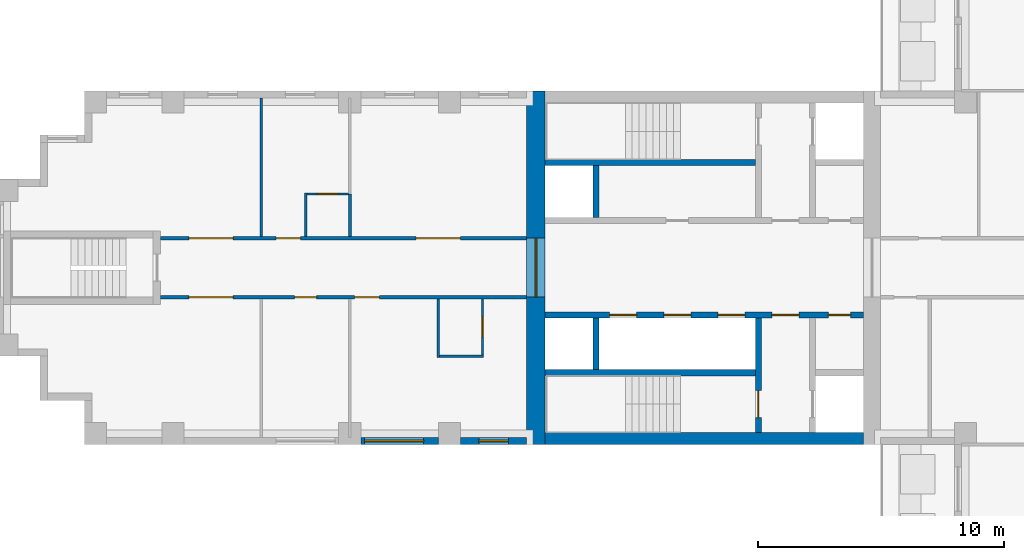
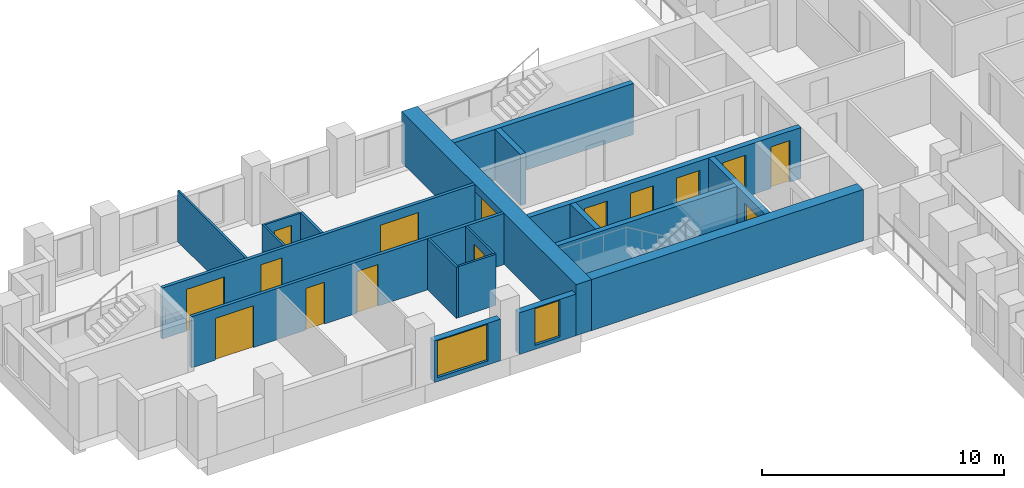
# One storey, part 6 of 14: 19 walls, 15 doors, 2 windows, 17 openings.
"""IFC4 building model written with IfcOpenShell, lengths in metres."""

from ifc_helpers import new_model, si_unit, direction, frame, frame_2d, origin, place, context, subcontext, project, spatial, rectangle, extrude, material, layer, layer_set, type_object, element, fill, save


model = new_model("IFC4")

# Units and contexts
model_context = context("Model", 3, precision=1e-05, world=origin(), true_north=direction((0.0, 1.0)))
body_context = subcontext(model_context, "Body", "Model", "MODEL_VIEW")
ifc_project = project(units=[si_unit("LENGTHUNIT", "METRE"), si_unit("AREAUNIT", "SQUARE_METRE"), si_unit("VOLUMEUNIT", "CUBIC_METRE"), si_unit("PLANEANGLEUNIT", "RADIAN"), si_unit("MASSUNIT", "GRAM", prefix="KILO")], contexts=[model_context])

# Site, building, storey
site_placement = place(None, origin())
site = spatial("IfcSite", under=ifc_project, at=site_placement, CompositionType="ELEMENT")
building_placement = place(site_placement, origin())
building = spatial("IfcBuilding", under=site, at=building_placement, Name="Fustian Cross Tower", CompositionType="ELEMENT")
storey_placement = place(building_placement, frame((0.0, 0.0, 99.89990234375)))
storey = spatial("IfcBuildingStorey", under=building, at=storey_placement, Name="L31", CompositionType="ELEMENT", Elevation=99.89990234375)

# Wall, openings, doors
ifc_material_1 = material(Name="Plasterboard on steel stud", Category="steel")
ifc_layer_1 = layer(ifc_material_1, 0.14990234375)
ifc_layer_set_1 = layer_set([ifc_layer_1], Name="Plasterboard on steel stud")
wall_type_1 = type_object("IfcWallType", Name="COMPARTMENT WALL 150 EI 60", PredefinedType="PARTITIONING", material=ifc_layer_set_1)
wall_1_placement = place(storey_placement, frame((-36.5, -1.199951171875, 0.0), z_axis=(0.0, 0.0, 1.0), x_axis=(1.0, 0.0, 0.0)))
wall_1 = element("IfcWall", 1, at=wall_1_placement, inside=storey, type_object=wall_type_1, Name="Partition 1", PredefinedType="PARTITIONING", context=body_context, shape_type="SweptSolid", body=[
    extrude(rectangle(XDim=14.89990234375, YDim=0.14990234375, at=frame_2d((7.449951171875, 0.0))), origin(), (0.0, 0.0, 1.0), 2.5751953125),
])
opening_1_placement = place(wall_1_placement, frame((7.89990234375, 0.0, 0.0)))
opening_1 = element("IfcOpeningElement", 2, at=opening_1_placement, cuts=wall_1, Name="Opening D14028", PredefinedType="OPENING", context=body_context, shape_type="SweptSolid", body=[
    extrude(rectangle(XDim=1.0, YDim=2.10009765625, at=frame_2d((0.5, 1.050048828125))), frame((0.0, 0.0849609375, 0.0), z_axis=(0.0, -1.0, 0.0), x_axis=(1.0, 0.0, 0.0)), (0.0, 0.0, 1.0), 0.169921875),
])
opening_2_placement = place(wall_1_placement, frame((5.449951171875, 0.0, 0.0)))
opening_2 = element("IfcOpeningElement", 3, at=opening_2_placement, cuts=wall_1, Name="Opening D14029", PredefinedType="OPENING", context=body_context, shape_type="SweptSolid", body=[
    extrude(rectangle(XDim=0.89990234375, YDim=2.10009765625, at=frame_2d((0.449951171875, 1.050048828125))), frame((0.0, 0.0849609375, 0.0), z_axis=(0.0, -1.0, 0.0), x_axis=(1.0, 0.0, 0.0)), (0.0, 0.0, 1.0), 0.169921875),
])
opening_3_placement = place(wall_1_placement, frame((1.14990234375, 0.0, 0.0)))
opening_3 = element("IfcOpeningElement", 4, at=opening_3_placement, cuts=wall_1, Name="Opening D14030", PredefinedType="OPENING", context=body_context, shape_type="SweptSolid", body=[
    extrude(rectangle(XDim=1.800048828125, YDim=2.10009765625, at=frame_2d((0.89990234375, 1.050048828125))), frame((0.0, 0.0849609375, 0.0), z_axis=(0.0, -1.0, 0.0), x_axis=(1.0, 0.0, 0.0)), (0.0, 0.0, 1.0), 0.169921875),
])
ifc_material_2 = material(Name="Timber fire door set", Category="wood")
door_type_1 = type_object("IfcDoorType", Name="FIRE DOUBLE DOOR 1800 FD30S", OperationType="DOUBLE_DOOR_DOUBLE_SWING", PredefinedType="DOOR", material=ifc_material_2)
door_1_placement = place(opening_3_placement, origin())
door_1 = element("IfcDoor", 5, at=door_1_placement, inside=storey, type_object=door_type_1, Name="Door D14030", OperationType="DOUBLE_DOOR_DOUBLE_SWING", OverallHeight=2.10009765625, OverallWidth=1.800048828125, PredefinedType="DOOR", context=body_context, shape_type="SweptSolid", body=[
    extrude(rectangle(XDim=1.800048828125, YDim=2.10009765625, at=frame_2d((0.89990234375, 1.050048828125))), frame((0.0, 0.02490234375, 0.0), z_axis=(0.0, -1.0, 0.0), x_axis=(1.0, 0.0, 0.0)), (0.0, 0.0, 1.0), 0.050048828125),
])
fill(opening_3, door_1)
ifc_material_3 = material(Name="Timber fire door set", Category="wood")
door_type_2 = type_object("IfcDoorType", Name="FIRE SWING DOOR 1000 FD30S", OperationType="SINGLE_SWING_LEFT", PredefinedType="DOOR", material=ifc_material_3)
door_2_placement = place(opening_1_placement, frame((1.0, 0.0, 0.0), z_axis=(0.0, 0.0, 1.0), x_axis=(-1.0, 0.0, 0.0)))
door_2 = element("IfcDoor", 6, at=door_2_placement, inside=storey, type_object=door_type_2, Name="Door D14028", OperationType="SINGLE_SWING_RIGHT", OverallHeight=2.10009765625, OverallWidth=1.0, PredefinedType="DOOR", context=body_context, shape_type="SweptSolid", body=[
    extrude(rectangle(XDim=1.0, YDim=2.10009765625, at=frame_2d((0.5, 1.050048828125))), frame((0.0, 0.02490234375, 0.0), z_axis=(0.0, -1.0, 0.0), x_axis=(1.0, 0.0, 0.0)), (0.0, 0.0, 1.0), 0.050048828125),
])
fill(opening_1, door_2)
ifc_material_4 = material(Name="Timber fire door set", Category="wood")
door_type_3 = type_object("IfcDoorType", Name="FIRE SWING DOOR 900 FD30S", OperationType="SINGLE_SWING_LEFT", PredefinedType="DOOR", material=ifc_material_4)
door_3_placement = place(opening_2_placement, frame((0.89990234375, 0.0, 0.0), z_axis=(0.0, 0.0, 1.0), x_axis=(-1.0, 0.0, 0.0)))
door_3 = element("IfcDoor", 7, at=door_3_placement, inside=storey, type_object=door_type_3, Name="Door D14029", OperationType="SINGLE_SWING_RIGHT", OverallHeight=2.10009765625, OverallWidth=0.89990234375, PredefinedType="DOOR", context=body_context, shape_type="SweptSolid", body=[
    extrude(rectangle(XDim=0.89990234375, YDim=2.10009765625, at=frame_2d((0.449951171875, 1.050048828125))), frame((0.0, 0.02490234375, 0.0), z_axis=(0.0, -1.0, 0.0), x_axis=(1.0, 0.0, 0.0)), (0.0, 0.0, 1.0), 0.050048828125),
])
fill(opening_2, door_3)

wall_2_placement = place(storey_placement, frame((-36.5, 1.199951171875, 0.0), z_axis=(0.0, 0.0, 1.0), x_axis=(1.0, 0.0, 0.0)))
wall_2 = element("IfcWall", 8, at=wall_2_placement, inside=storey, type_object=wall_type_1, Name="Partition 2", PredefinedType="PARTITIONING", context=body_context, shape_type="SweptSolid", body=[
    extrude(rectangle(XDim=14.89990234375, YDim=0.14990234375, at=frame_2d((7.449951171875, 0.0))), origin(), (0.0, 0.0, 1.0), 2.5751953125),
])
opening_4_placement = place(wall_2_placement, frame((10.39990234375, 0.0, 0.0)))
opening_4 = element("IfcOpeningElement", 9, at=opening_4_placement, cuts=wall_2, Name="Opening D14031", PredefinedType="OPENING", context=body_context, shape_type="SweptSolid", body=[
    extrude(rectangle(XDim=1.800048828125, YDim=2.10009765625, at=frame_2d((0.89990234375, 1.050048828125))), frame((0.0, 0.0849609375, 0.0), z_axis=(0.0, -1.0, 0.0), x_axis=(1.0, 0.0, 0.0)), (0.0, 0.0, 1.0), 0.169921875),
])
opening_5_placement = place(wall_2_placement, frame((4.699951171875, 0.0, 0.0)))
opening_5 = element("IfcOpeningElement", 10, at=opening_5_placement, cuts=wall_2, Name="Opening D14033", PredefinedType="OPENING", context=body_context, shape_type="SweptSolid", body=[
    extrude(rectangle(XDim=1.0, YDim=2.10009765625, at=frame_2d((0.5, 1.050048828125))), frame((0.0, 0.0849609375, 0.0), z_axis=(0.0, -1.0, 0.0), x_axis=(1.0, 0.0, 0.0)), (0.0, 0.0, 1.0), 0.169921875),
])
opening_6_placement = place(wall_2_placement, frame((1.14990234375, 0.0, 0.0)))
opening_6 = element("IfcOpeningElement", 11, at=opening_6_placement, cuts=wall_2, Name="Opening D14034", PredefinedType="OPENING", context=body_context, shape_type="SweptSolid", body=[
    extrude(rectangle(XDim=1.800048828125, YDim=2.10009765625, at=frame_2d((0.89990234375, 1.050048828125))), frame((0.0, 0.0849609375, 0.0), z_axis=(0.0, -1.0, 0.0), x_axis=(1.0, 0.0, 0.0)), (0.0, 0.0, 1.0), 0.169921875),
])
door_4_placement = place(opening_4_placement, frame((1.800048828125, 0.0, 0.0), z_axis=(0.0, 0.0, 1.0), x_axis=(-1.0, 0.0, 0.0)))
door_4 = element("IfcDoor", 12, at=door_4_placement, inside=storey, type_object=door_type_1, Name="Door D14031", OperationType="DOUBLE_DOOR_DOUBLE_SWING", OverallHeight=2.10009765625, OverallWidth=1.800048828125, PredefinedType="DOOR", context=body_context, shape_type="SweptSolid", body=[
    extrude(rectangle(XDim=1.800048828125, YDim=2.10009765625, at=frame_2d((0.89990234375, 1.050048828125))), frame((0.0, 0.02490234375, 0.0), z_axis=(0.0, -1.0, 0.0), x_axis=(1.0, 0.0, 0.0)), (0.0, 0.0, 1.0), 0.050048828125),
])
fill(opening_4, door_4)
door_5_placement = place(opening_6_placement, frame((1.800048828125, 0.0, 0.0), z_axis=(0.0, 0.0, 1.0), x_axis=(-1.0, 0.0, 0.0)))
door_5 = element("IfcDoor", 13, at=door_5_placement, inside=storey, type_object=door_type_1, Name="Door D14034", OperationType="DOUBLE_DOOR_DOUBLE_SWING", OverallHeight=2.10009765625, OverallWidth=1.800048828125, PredefinedType="DOOR", context=body_context, shape_type="SweptSolid", body=[
    extrude(rectangle(XDim=1.800048828125, YDim=2.10009765625, at=frame_2d((0.89990234375, 1.050048828125))), frame((0.0, 0.02490234375, 0.0), z_axis=(0.0, -1.0, 0.0), x_axis=(1.0, 0.0, 0.0)), (0.0, 0.0, 1.0), 0.050048828125),
])
fill(opening_6, door_5)
door_6_placement = place(opening_5_placement, origin())
door_6 = element("IfcDoor", 14, at=door_6_placement, inside=storey, type_object=door_type_2, Name="Door D14033", OperationType="SINGLE_SWING_RIGHT", OverallHeight=2.10009765625, OverallWidth=1.0, PredefinedType="DOOR", context=body_context, shape_type="SweptSolid", body=[
    extrude(rectangle(XDim=1.0, YDim=2.10009765625, at=frame_2d((0.5, 1.050048828125))), frame((0.0, 0.02490234375, 0.0), z_axis=(0.0, -1.0, 0.0), x_axis=(1.0, 0.0, 0.0)), (0.0, 0.0, 1.0), 0.050048828125),
])
fill(opening_5, door_6)

# Wall, opening, door
ifc_material_5 = material(Name="Concrete C70/85", Category="concrete")
ifc_layer_2 = layer(ifc_material_5, 0.75)
ifc_layer_set_2 = layer_set([ifc_layer_2], Name="Concrete C70/85")
wall_type_2 = type_object("IfcWallType", Name="CORE END WALL 750 C70/85", PredefinedType="SHEAR", material=ifc_layer_set_2)
wall_3_placement = place(storey_placement, frame((-21.22509765625, -7.199951171875, 0.0), z_axis=(0.0, 0.0, 1.0), x_axis=(0.0, 1.0, 0.0)))
wall_3 = element("IfcWall", 15, at=wall_3_placement, inside=storey, type_object=wall_type_2, Name="Core end wall", PredefinedType="SHEAR", context=body_context, shape_type="SweptSolid", body=[
    extrude(rectangle(XDim=14.39990234375, YDim=0.75, at=frame_2d((7.199951171875, 0.0))), origin(), (0.0, 0.0, 1.0), 2.5751953125),
])
opening_7_placement = place(wall_3_placement, frame((6.0, 0.0, 0.0)))
opening_7 = element("IfcOpeningElement", 16, at=opening_7_placement, cuts=wall_3, Name="Opening CD-09-27", PredefinedType="OPENING", context=body_context, shape_type="SweptSolid", body=[
    extrude(rectangle(XDim=2.39990234375, YDim=2.199951171875, at=frame_2d((1.199951171875, 1.10009765625))), frame((0.0, 0.385009765625, 0.0), z_axis=(0.0, -1.0, 0.0), x_axis=(1.0, 0.0, 0.0)), (0.0, 0.0, 1.0), 0.77001953125),
])
ifc_material_6 = material(Name="Steel", Category="steel")
door_type_4 = type_object("IfcDoorType", Name="FIRE DOOR FD30S DOUBLE 2400X2200", OperationType="DOUBLE_DOOR_DOUBLE_SWING", PredefinedType="DOOR", material=ifc_material_6)
door_7_placement = place(opening_7_placement, frame((2.39990234375, 0.0, 0.0), z_axis=(0.0, 0.0, 1.0), x_axis=(-1.0, 0.0, 0.0)))
door_7 = element("IfcDoor", 17, at=door_7_placement, inside=storey, type_object=door_type_4, Name="Core door CD-09-27", OperationType="DOUBLE_DOOR_DOUBLE_SWING", OverallHeight=2.199951171875, OverallWidth=2.39990234375, PredefinedType="DOOR", context=body_context, shape_type="SweptSolid", body=[
    extrude(rectangle(XDim=2.39990234375, YDim=2.199951171875, at=frame_2d((1.199951171875, 1.10009765625))), frame((0.0, 0.02490234375, 0.0), z_axis=(0.0, -1.0, 0.0), x_axis=(1.0, 0.0, 0.0)), (0.0, 0.0, 1.0), 0.050048828125),
])
fill(opening_7, door_7)

# Wall
ifc_material_7 = material(Name="Concrete C70/85", Category="concrete")
ifc_layer_3 = layer(ifc_material_7, 0.5)
ifc_layer_set_3 = layer_set([ifc_layer_3], Name="Concrete C70/85")
wall_type_3 = type_object("IfcWallType", Name="CORE FACADE WALL 500 C70/85", PredefinedType="SHEAR", material=ifc_layer_set_3)
wall_4_placement = place(storey_placement, frame((-7.89990234375, -6.949951171875, 0.0), z_axis=(0.0, 0.0, 1.0), x_axis=(-1.0, 0.0, 0.0)))
element("IfcWall", 18, at=wall_4_placement, inside=storey, type_object=wall_type_3, Name="Core facade wall", PredefinedType="SHEAR", context=body_context, shape_type="SweptSolid", body=[
    extrude(rectangle(XDim=12.9501953125, YDim=0.5, at=frame_2d((6.47509765625, 0.0))), origin(), (0.0, 0.0, 1.0), 2.5751953125),
])

# Wall, openings, doors
ifc_material_8 = material(Name="Concrete C50/60", Category="concrete")
ifc_layer_4 = layer(ifc_material_8, 0.25)
ifc_layer_set_4 = layer_set([ifc_layer_4], Name="Concrete C50/60")
wall_type_4 = type_object("IfcWallType", Name="CORE LOBBY WALL 250 C50/60", PredefinedType="SHEAR", material=ifc_layer_set_4)
wall_5_placement = place(storey_placement, frame((-7.89990234375, -1.925048828125, 0.0), z_axis=(0.0, 0.0, 1.0), x_axis=(-1.0, 0.0, 0.0)))
wall_5 = element("IfcWall", 19, at=wall_5_placement, inside=storey, type_object=wall_type_4, Name="Core lobby wall", PredefinedType="SHEAR", context=body_context, shape_type="SweptSolid", body=[
    extrude(rectangle(XDim=12.9501953125, YDim=0.25, at=frame_2d((6.47509765625, 0.0))), origin(), (0.0, 0.0, 1.0), 2.5751953125),
])
opening_8_placement = place(wall_5_placement, frame((4.824951171875, 0.0, 0.0)))
opening_8 = element("IfcOpeningElement", 20, at=opening_8_placement, cuts=wall_5, Name="Opening LD", PredefinedType="OPENING", context=body_context, shape_type="SweptSolid", body=[
    extrude(rectangle(XDim=1.10009765625, YDim=2.10009765625, at=frame_2d((0.550048828125, 1.050048828125))), frame((0.0, 0.135009765625, 0.0), z_axis=(0.0, -1.0, 0.0), x_axis=(1.0, 0.0, 0.0)), (0.0, 0.0, 1.0), 0.27001953125),
])
opening_9_placement = place(wall_5_placement, frame((7.02490234375, 0.0, 0.0)))
opening_9 = element("IfcOpeningElement", 21, at=opening_9_placement, cuts=wall_5, Name="Opening LD", PredefinedType="OPENING", context=body_context, shape_type="SweptSolid", body=[
    extrude(rectangle(XDim=1.10009765625, YDim=2.10009765625, at=frame_2d((0.550048828125, 1.050048828125))), frame((0.0, 0.135009765625, 0.0), z_axis=(0.0, -1.0, 0.0), x_axis=(1.0, 0.0, 0.0)), (0.0, 0.0, 1.0), 0.27001953125),
])
opening_10_placement = place(wall_5_placement, frame((9.22509765625, 0.0, 0.0)))
opening_10 = element("IfcOpeningElement", 22, at=opening_10_placement, cuts=wall_5, Name="Opening LD", PredefinedType="OPENING", context=body_context, shape_type="SweptSolid", body=[
    extrude(rectangle(XDim=1.10009765625, YDim=2.10009765625, at=frame_2d((0.550048828125, 1.050048828125))), frame((0.0, 0.135009765625, 0.0), z_axis=(0.0, -1.0, 0.0), x_axis=(1.0, 0.0, 0.0)), (0.0, 0.0, 1.0), 0.27001953125),
])
opening_11_placement = place(wall_5_placement, frame((0.52490234375, 0.0, 0.0)))
opening_11 = element("IfcOpeningElement", 23, at=opening_11_placement, cuts=wall_5, Name="Opening CD-09-23", PredefinedType="OPENING", context=body_context, shape_type="SweptSolid", body=[
    extrude(rectangle(XDim=0.89990234375, YDim=2.10009765625, at=frame_2d((0.449951171875, 1.050048828125))), frame((0.0, 0.135009765625, 0.0), z_axis=(0.0, -1.0, 0.0), x_axis=(1.0, 0.0, 0.0)), (0.0, 0.0, 1.0), 0.27001953125),
])
opening_12_placement = place(wall_5_placement, frame((2.625, 0.0, 0.0)))
opening_12 = element("IfcOpeningElement", 24, at=opening_12_placement, cuts=wall_5, Name="Opening CD-09-25", PredefinedType="OPENING", context=body_context, shape_type="SweptSolid", body=[
    extrude(rectangle(XDim=1.10009765625, YDim=2.10009765625, at=frame_2d((0.550048828125, 1.050048828125))), frame((0.0, 0.135009765625, 0.0), z_axis=(0.0, -1.0, 0.0), x_axis=(1.0, 0.0, 0.0)), (0.0, 0.0, 1.0), 0.27001953125),
])
ifc_material_9 = material(Name="Steel", Category="steel")
door_type_5 = type_object("IfcDoorType", Name="FIRE DOOR FD30S 1100X2100", OperationType="SINGLE_SWING_LEFT", PredefinedType="DOOR", material=ifc_material_9)
door_8_placement = place(opening_12_placement, frame((1.10009765625, 0.0, 0.0), z_axis=(0.0, 0.0, 1.0), x_axis=(-1.0, 0.0, 0.0)))
door_8 = element("IfcDoor", 25, at=door_8_placement, inside=storey, type_object=door_type_5, Name="Core door CD-09-25", OperationType="SINGLE_SWING_RIGHT", OverallHeight=2.10009765625, OverallWidth=1.10009765625, PredefinedType="DOOR", context=body_context, shape_type="SweptSolid", body=[
    extrude(rectangle(XDim=1.10009765625, YDim=2.10009765625, at=frame_2d((0.550048828125, 1.050048828125))), frame((0.0, 0.02490234375, 0.0), z_axis=(0.0, -1.0, 0.0), x_axis=(1.0, 0.0, 0.0)), (0.0, 0.0, 1.0), 0.050048828125),
])
fill(opening_12, door_8)
ifc_material_10 = material(Name="Steel", Category="steel")
door_type_6 = type_object("IfcDoorType", Name="FIRE DOOR FD30S 900X2100", OperationType="SINGLE_SWING_LEFT", PredefinedType="DOOR", material=ifc_material_10)
door_9_placement = place(opening_11_placement, origin())
door_9 = element("IfcDoor", 26, at=door_9_placement, inside=storey, type_object=door_type_6, Name="Core door CD-09-23", OperationType="SINGLE_SWING_LEFT", OverallHeight=2.10009765625, OverallWidth=0.89990234375, PredefinedType="DOOR", context=body_context, shape_type="SweptSolid", body=[
    extrude(rectangle(XDim=0.89990234375, YDim=2.10009765625, at=frame_2d((0.449951171875, 1.050048828125))), frame((0.0, 0.02490234375, 0.0), z_axis=(0.0, -1.0, 0.0), x_axis=(1.0, 0.0, 0.0)), (0.0, 0.0, 1.0), 0.050048828125),
])
fill(opening_11, door_9)
ifc_material_11 = material(Name="Stainless steel", Category="steel")
door_type_7 = type_object("IfcDoorType", Name="LIFT LANDING DOOR 1100X2100", OperationType="SLIDING_TO_LEFT", PredefinedType="DOOR", material=ifc_material_11)
door_10_placement = place(opening_8_placement, origin())
door_10 = element("IfcDoor", 27, at=door_10_placement, inside=storey, type_object=door_type_7, Name="Landing door LR1W", OperationType="SLIDING_TO_LEFT", OverallHeight=2.10009765625, OverallWidth=1.10009765625, PredefinedType="DOOR", context=body_context, shape_type="SweptSolid", body=[
    extrude(rectangle(XDim=1.10009765625, YDim=2.10009765625, at=frame_2d((0.550048828125, 1.050048828125))), frame((0.0, 0.02490234375, 0.0), z_axis=(0.0, -1.0, 0.0), x_axis=(1.0, 0.0, 0.0)), (0.0, 0.0, 1.0), 0.050048828125),
])
fill(opening_8, door_10)
door_11_placement = place(opening_9_placement, origin())
door_11 = element("IfcDoor", 28, at=door_11_placement, inside=storey, type_object=door_type_7, Name="Landing door LR2W", OperationType="SLIDING_TO_LEFT", OverallHeight=2.10009765625, OverallWidth=1.10009765625, PredefinedType="DOOR", context=body_context, shape_type="SweptSolid", body=[
    extrude(rectangle(XDim=1.10009765625, YDim=2.10009765625, at=frame_2d((0.550048828125, 1.050048828125))), frame((0.0, 0.02490234375, 0.0), z_axis=(0.0, -1.0, 0.0), x_axis=(1.0, 0.0, 0.0)), (0.0, 0.0, 1.0), 0.050048828125),
])
fill(opening_9, door_11)
door_12_placement = place(opening_10_placement, origin())
door_12 = element("IfcDoor", 29, at=door_12_placement, inside=storey, type_object=door_type_7, Name="Landing door LR3W", OperationType="SLIDING_TO_LEFT", OverallHeight=2.10009765625, OverallWidth=1.10009765625, PredefinedType="DOOR", context=body_context, shape_type="SweptSolid", body=[
    extrude(rectangle(XDim=1.10009765625, YDim=2.10009765625, at=frame_2d((0.550048828125, 1.050048828125))), frame((0.0, 0.02490234375, 0.0), z_axis=(0.0, -1.0, 0.0), x_axis=(1.0, 0.0, 0.0)), (0.0, 0.0, 1.0), 0.050048828125),
])
fill(opening_10, door_12)

# Walls
ifc_material_12 = material(Name="Concrete C50/60", Category="concrete")
ifc_layer_5 = layer(ifc_material_12, 0.25)
ifc_layer_set_5 = layer_set([ifc_layer_5], Name="Concrete C50/60")
wall_type_5 = type_object("IfcWallType", Name="CORE SHAFT WALL 250 C50/60", PredefinedType="SHEAR", material=ifc_layer_set_5)
for number, where, z_axis, x_axis, name in (
    (30, (-12.300048828125, 4.27490234375, 0.0), (0.0, 0.0, 1.0), (-1.0, 0.0, 0.0), "Core shaft wall"),
    (31, (-12.300048828125, -4.27490234375, 0.0), (0.0, 0.0, 1.0), (-1.0, 0.0, 0.0), "Core shaft wall"),
):
    element("IfcWall", number, at=place(storey_placement, frame(where, z_axis=z_axis, x_axis=x_axis)), inside=storey, type_object=wall_type_5, Name=name, PredefinedType="SHEAR", context=body_context, shape_type="SweptSolid", body=[
        extrude(rectangle(XDim=8.550048828125, YDim=0.25, at=frame_2d((4.27490234375, 0.0))), origin(), (0.0, 0.0, 1.0), 2.5751953125),
    ])

# Wall, opening, door
wall_6_placement = place(storey_placement, frame((-12.175048828125, -2.050048828125, 0.0), z_axis=(0.0, 0.0, 1.0), x_axis=(0.0, -1.0, 0.0)))
wall_6 = element("IfcWall", 32, at=wall_6_placement, inside=storey, type_object=wall_type_5, Name="Core shaft wall", PredefinedType="SHEAR", context=body_context, shape_type="SweptSolid", body=[
    extrude(rectangle(XDim=4.64990234375, YDim=0.25, at=frame_2d((2.324951171875, 0.0))), origin(), (0.0, 0.0, 1.0), 2.5751953125),
])
opening_13_placement = place(wall_6_placement, frame((2.949951171875, 0.0, 0.0)))
opening_13 = element("IfcOpeningElement", 33, at=opening_13_placement, cuts=wall_6, Name="Opening CD-09-21", PredefinedType="OPENING", context=body_context, shape_type="SweptSolid", body=[
    extrude(rectangle(XDim=1.10009765625, YDim=2.10009765625, at=frame_2d((0.550048828125, 1.050048828125))), frame((0.0, 0.135009765625, 0.0), z_axis=(0.0, -1.0, 0.0), x_axis=(1.0, 0.0, 0.0)), (0.0, 0.0, 1.0), 0.27001953125),
])
ifc_material_13 = material(Name="Steel", Category="steel")
door_type_8 = type_object("IfcDoorType", Name="FIRE DOOR FD60S 1100X2100", OperationType="SINGLE_SWING_LEFT", PredefinedType="DOOR", material=ifc_material_13)
door_13_placement = place(opening_13_placement, frame((1.10009765625, 0.0, 0.0), z_axis=(0.0, 0.0, 1.0), x_axis=(-1.0, 0.0, 0.0)))
door_13 = element("IfcDoor", 34, at=door_13_placement, inside=storey, type_object=door_type_8, Name="Core door CD-09-21", OperationType="SINGLE_SWING_RIGHT", OverallHeight=2.10009765625, OverallWidth=1.10009765625, PredefinedType="DOOR", context=body_context, shape_type="SweptSolid", body=[
    extrude(rectangle(XDim=1.10009765625, YDim=2.10009765625, at=frame_2d((0.550048828125, 1.050048828125))), frame((0.0, 0.02490234375, 0.0), z_axis=(0.0, -1.0, 0.0), x_axis=(1.0, 0.0, 0.0)), (0.0, 0.0, 1.0), 0.050048828125),
])
fill(opening_13, door_13)

# Walls
ifc_material_14 = material(Name="Plasterboard on steel stud", Category="steel")
ifc_layer_6 = layer(ifc_material_14, 0.10009765625)
ifc_layer_set_6 = layer_set([ifc_layer_6], Name="Plasterboard on steel stud")
wall_type_6 = type_object("IfcWallType", Name="PARTITION 100 STUD", PredefinedType="PARTITIONING", material=ifc_layer_set_6)
wall_7_placement = place(storey_placement, frame((-32.39990234375, 1.27490234375, 0.0), z_axis=(0.0, 0.0, 1.0), x_axis=(0.0, 1.0, 0.0)))
element("IfcWall", 35, at=wall_7_placement, inside=storey, type_object=wall_type_6, Name="Partition 4", PredefinedType="PARTITIONING", context=body_context, shape_type="SweptSolid", body=[
    extrude(rectangle(XDim=5.625, YDim=0.10009765625, at=frame_2d((2.8125, 0.0))), origin(), (0.0, 0.0, 1.0), 2.5751953125),
])
wall_8_placement = place(storey_placement, frame((-30.60009765625, 1.27490234375, 0.0), z_axis=(0.0, 0.0, 1.0), x_axis=(0.0, 1.0, 0.0)))
element("IfcWall", 36, at=wall_8_placement, inside=storey, type_object=wall_type_6, Name="Partition 5", PredefinedType="PARTITIONING", context=body_context, shape_type="SweptSolid", body=[
    extrude(rectangle(XDim=1.775146484375, YDim=0.10009765625, at=frame_2d((0.8876953125, 0.0))), origin(), (0.0, 0.0, 1.0), 2.5751953125),
])

# Wall, opening, door
wall_9_placement = place(storey_placement, frame((-30.550048828125, 3.0, 0.0), z_axis=(0.0, 0.0, 1.0), x_axis=(1.0, 0.0, 0.0)))
wall_9 = element("IfcWall", 37, at=wall_9_placement, inside=storey, type_object=wall_type_6, Name="Partition 6", PredefinedType="PARTITIONING", context=body_context, shape_type="SweptSolid", body=[
    extrude(rectangle(XDim=1.6875, YDim=0.10009765625, at=frame_2d((0.84375, 0.0))), origin(), (0.0, 0.0, 1.0), 2.5751953125),
])
opening_14_placement = place(wall_9_placement, frame((0.449951171875, 0.0, 0.0)))
opening_14 = element("IfcOpeningElement", 38, at=opening_14_placement, cuts=wall_9, Name="Opening D14032", PredefinedType="OPENING", context=body_context, shape_type="SweptSolid", body=[
    extrude(rectangle(XDim=0.800048828125, YDim=2.10009765625, at=frame_2d((0.39990234375, 1.050048828125))), frame((0.0, 0.06005859375, 0.0), z_axis=(0.0, -1.0, 0.0), x_axis=(1.0, 0.0, 0.0)), (0.0, 0.0, 1.0), 0.1201171875),
])
ifc_material_15 = material(Name="Painted timber", Category="wood")
door_type_9 = type_object("IfcDoorType", Name="SWING DOOR 800", OperationType="SINGLE_SWING_LEFT", PredefinedType="DOOR", material=ifc_material_15)
door_14_placement = place(opening_14_placement, frame((0.800048828125, 0.0, 0.0), z_axis=(0.0, 0.0, 1.0), x_axis=(-1.0, 0.0, 0.0)))
door_14 = element("IfcDoor", 39, at=door_14_placement, inside=storey, type_object=door_type_9, Name="Door D14032", OperationType="SINGLE_SWING_LEFT", OverallHeight=2.10009765625, OverallWidth=0.800048828125, PredefinedType="DOOR", context=body_context, shape_type="SweptSolid", body=[
    extrude(rectangle(XDim=0.800048828125, YDim=2.10009765625, at=frame_2d((0.39990234375, 1.050048828125))), frame((0.0, 0.02490234375, 0.0), z_axis=(0.0, -1.0, 0.0), x_axis=(1.0, 0.0, 0.0)), (0.0, 0.0, 1.0), 0.050048828125),
])
fill(opening_14, door_14)

# Walls
wall_10_placement = place(storey_placement, frame((-25.199951171875, -3.64990234375, 0.0), z_axis=(0.0, 0.0, 1.0), x_axis=(0.0, 1.0, 0.0)))
element("IfcWall", 40, at=wall_10_placement, inside=storey, type_object=wall_type_6, Name="Partition 10", PredefinedType="PARTITIONING", context=body_context, shape_type="SweptSolid", body=[
    extrude(rectangle(XDim=2.375, YDim=0.10009765625, at=frame_2d((1.1875, 0.0))), origin(), (0.0, 0.0, 1.0), 2.5751953125),
])
wall_11_placement = place(storey_placement, frame((-25.14990234375, -3.60009765625, 0.0), z_axis=(0.0, 0.0, 1.0), x_axis=(1.0, 0.0, 0.0)))
element("IfcWall", 41, at=wall_11_placement, inside=storey, type_object=wall_type_6, Name="Partition 11", PredefinedType="PARTITIONING", context=body_context, shape_type="SweptSolid", body=[
    extrude(rectangle(XDim=1.7998046875, YDim=0.10009765625, at=frame_2d((0.89990234375, 0.0))), origin(), (0.0, 0.0, 1.0), 2.5751953125),
])

# Wall, opening, door
wall_12_placement = place(storey_placement, frame((-23.39990234375, -3.550048828125, 0.0), z_axis=(0.0, 0.0, 1.0), x_axis=(0.0, 1.0, 0.0)))
wall_12 = element("IfcWall", 42, at=wall_12_placement, inside=storey, type_object=wall_type_6, Name="Partition 12", PredefinedType="PARTITIONING", context=body_context, shape_type="SweptSolid", body=[
    extrude(rectangle(XDim=2.275146484375, YDim=0.10009765625, at=frame_2d((1.1376953125, 0.0))), origin(), (0.0, 0.0, 1.0), 2.5751953125),
])
opening_15_placement = place(wall_12_placement, frame((0.75, 0.0, 0.0)))
opening_15 = element("IfcOpeningElement", 43, at=opening_15_placement, cuts=wall_12, Name="Opening D14027", PredefinedType="OPENING", context=body_context, shape_type="SweptSolid", body=[
    extrude(rectangle(XDim=0.800048828125, YDim=2.10009765625, at=frame_2d((0.39990234375, 1.050048828125))), frame((0.0, 0.06005859375, 0.0), z_axis=(0.0, -1.0, 0.0), x_axis=(1.0, 0.0, 0.0)), (0.0, 0.0, 1.0), 0.1201171875),
])
door_15_placement = place(opening_15_placement, origin())
door_15 = element("IfcDoor", 44, at=door_15_placement, inside=storey, type_object=door_type_9, Name="Door D14027", OperationType="SINGLE_SWING_LEFT", OverallHeight=2.10009765625, OverallWidth=0.800048828125, PredefinedType="DOOR", context=body_context, shape_type="SweptSolid", body=[
    extrude(rectangle(XDim=0.800048828125, YDim=2.10009765625, at=frame_2d((0.39990234375, 1.050048828125))), frame((0.0, 0.02490234375, 0.0), z_axis=(0.0, -1.0, 0.0), x_axis=(1.0, 0.0, 0.0)), (0.0, 0.0, 1.0), 0.050048828125),
])
fill(opening_15, door_15)

# Walls
ifc_material_16 = material(Name="Concrete C40/50", Category="concrete")
ifc_layer_7 = layer(ifc_material_16, 0.25)
ifc_layer_set_7 = layer_set([ifc_layer_7], Name="Concrete C40/50")
wall_type_7 = type_object("IfcWallType", Name="SHAFT PARTITION WALL 250 C40/50", PredefinedType="PARTITIONING", material=ifc_layer_set_7)
for number, where, z_axis, x_axis, name in (
    (45, (-18.77490234375, 2.050048828125, 0.0), (0.0, 0.0, 1.0), (0.0, 1.0, 0.0), "Core shaft wall"),
    (46, (-18.77490234375, -2.050048828125, 0.0), (0.0, 0.0, 1.0), (0.0, -1.0, 0.0), "Core shaft wall"),
):
    element("IfcWall", number, at=place(storey_placement, frame(where, z_axis=z_axis, x_axis=x_axis)), inside=storey, type_object=wall_type_7, Name=name, PredefinedType="PARTITIONING", context=body_context, shape_type="SweptSolid", body=[
        extrude(rectangle(XDim=2.099853515625, YDim=0.25, at=frame_2d((1.0498046875, 0.0))), origin(), (0.0, 0.0, 1.0), 2.5751953125),
    ])
ifc_material_17 = material(Name="Plasterboard on steel stud", Category="steel")
ifc_layer_8 = layer(ifc_material_17, 0.125)
ifc_layer_set_8 = layer_set([ifc_layer_8], Name="Plasterboard on steel stud")
wall_type_8 = type_object("IfcWallType", Name="WET WALL 125 STUD", PredefinedType="PARTITIONING", material=ifc_layer_set_8)
wall_13_placement = place(storey_placement, frame((-28.800048828125, 1.27490234375, 0.0), z_axis=(0.0, 0.0, 1.0), x_axis=(0.0, 1.0, 0.0)))
element("IfcWall", 47, at=wall_13_placement, inside=storey, type_object=wall_type_8, Name="Partition 8", PredefinedType="PARTITIONING", context=body_context, shape_type="SweptSolid", body=[
    extrude(rectangle(XDim=1.72509765625, YDim=0.125, at=frame_2d((0.862548828125, 0.0))), origin(), (0.0, 0.0, 1.0), 2.5751953125),
])

# Wall, opening, window
ifc_material_18 = material(Name="Dark aluminium cladding on insulated backing wall", Category="aluminium")
ifc_layer_9 = layer(ifc_material_18, 0.300048828125)
ifc_layer_set_9 = layer_set([ifc_layer_9], Name="Dark aluminium cladding on insulated backing wall")
wall_type_9 = type_object("IfcWallType", Name="XW1 EXTERNAL WALL 300", PredefinedType="SOLIDWALL", material=ifc_layer_set_9)
wall_14_placement = place(storey_placement, frame((-28.35009765625, -7.050048828125, 0.0), z_axis=(0.0, 0.0, 1.0), x_axis=(1.0, 0.0, 0.0)))
wall_14 = element("IfcWall", 48, at=wall_14_placement, inside=storey, type_object=wall_type_9, Name="External wall", PredefinedType="SOLIDWALL", context=body_context, shape_type="SweptSolid", body=[
    extrude(rectangle(XDim=3.150146484375, YDim=0.300048828125, at=frame_2d((1.5751953125, 0.0))), origin(), (0.0, 0.0, 1.0), 2.10009765625),
])
opening_16_placement = place(wall_14_placement, frame((0.14990234375, 0.0, 0.199951171875)))
opening_16 = element("IfcOpeningElement", 49, at=opening_16_placement, cuts=wall_14, Name="Opening WN1", PredefinedType="OPENING", context=body_context, shape_type="SweptSolid", body=[
    extrude(rectangle(XDim=2.39990234375, YDim=1.85009765625, at=frame_2d((1.199951171875, 0.925048828125))), frame((0.0, 0.159912109375, 0.0), z_axis=(0.0, -1.0, 0.0), x_axis=(1.0, 0.0, 0.0)), (0.0, 0.0, 1.0), 0.320068359375),
])
ifc_material_19 = material(Name="Dark anodised aluminium and double glazing", Category="aluminium")
window_type_1 = type_object("IfcWindowType", Name="WN1 WINDOW 2400X1850", PartitioningType="SINGLE_PANEL", PredefinedType="WINDOW", material=ifc_material_19)
window_1_placement = place(opening_16_placement, origin())
window_1 = element("IfcWindow", 50, at=window_1_placement, inside=storey, type_object=window_type_1, Name="Window", OverallHeight=1.85009765625, OverallWidth=2.39990234375, PartitioningType="SINGLE_PANEL", PredefinedType="WINDOW", context=body_context, shape_type="SweptSolid", body=[
    extrude(rectangle(XDim=2.39990234375, YDim=1.85009765625, at=frame_2d((1.199951171875, 0.925048828125))), frame((0.0, 0.030029296875, 0.0), z_axis=(0.0, -1.0, 0.0), x_axis=(1.0, 0.0, 0.0)), (0.0, 0.0, 1.0), 0.06005859375),
])
fill(opening_16, window_1)

wall_15_placement = place(storey_placement, frame((-24.300048828125, -7.050048828125, 0.0), z_axis=(0.0, 0.0, 1.0), x_axis=(1.0, 0.0, 0.0)))
wall_15 = element("IfcWall", 51, at=wall_15_placement, inside=storey, type_object=wall_type_9, Name="External wall", PredefinedType="SOLIDWALL", context=body_context, shape_type="SweptSolid", body=[
    extrude(rectangle(XDim=2.699951171875, YDim=0.300048828125, at=frame_2d((1.35009765625, 0.0))), origin(), (0.0, 0.0, 1.0), 2.10009765625),
])
opening_17_placement = place(wall_15_placement, frame((0.75, 0.0, 0.199951171875)))
opening_17 = element("IfcOpeningElement", 52, at=opening_17_placement, cuts=wall_15, Name="Opening WN3", PredefinedType="OPENING", context=body_context, shape_type="SweptSolid", body=[
    extrude(rectangle(XDim=1.199951171875, YDim=1.85009765625, at=frame_2d((0.60009765625, 0.925048828125))), frame((0.0, 0.159912109375, 0.0), z_axis=(0.0, -1.0, 0.0), x_axis=(1.0, 0.0, 0.0)), (0.0, 0.0, 1.0), 0.320068359375),
])
ifc_material_20 = material(Name="Dark anodised aluminium and double glazing", Category="aluminium")
window_type_2 = type_object("IfcWindowType", Name="WN3 WINDOW 1200X1850", PartitioningType="SINGLE_PANEL", PredefinedType="WINDOW", material=ifc_material_20)
window_2_placement = place(opening_17_placement, origin())
window_2 = element("IfcWindow", 53, at=window_2_placement, inside=storey, type_object=window_type_2, Name="Window", OverallHeight=1.85009765625, OverallWidth=1.199951171875, PartitioningType="SINGLE_PANEL", PredefinedType="WINDOW", context=body_context, shape_type="SweptSolid", body=[
    extrude(rectangle(XDim=1.199951171875, YDim=1.85009765625, at=frame_2d((0.60009765625, 0.925048828125))), frame((0.0, 0.030029296875, 0.0), z_axis=(0.0, -1.0, 0.0), x_axis=(1.0, 0.0, 0.0)), (0.0, 0.0, 1.0), 0.06005859375),
])
fill(opening_17, window_2)

save(model, "model.ifc")
